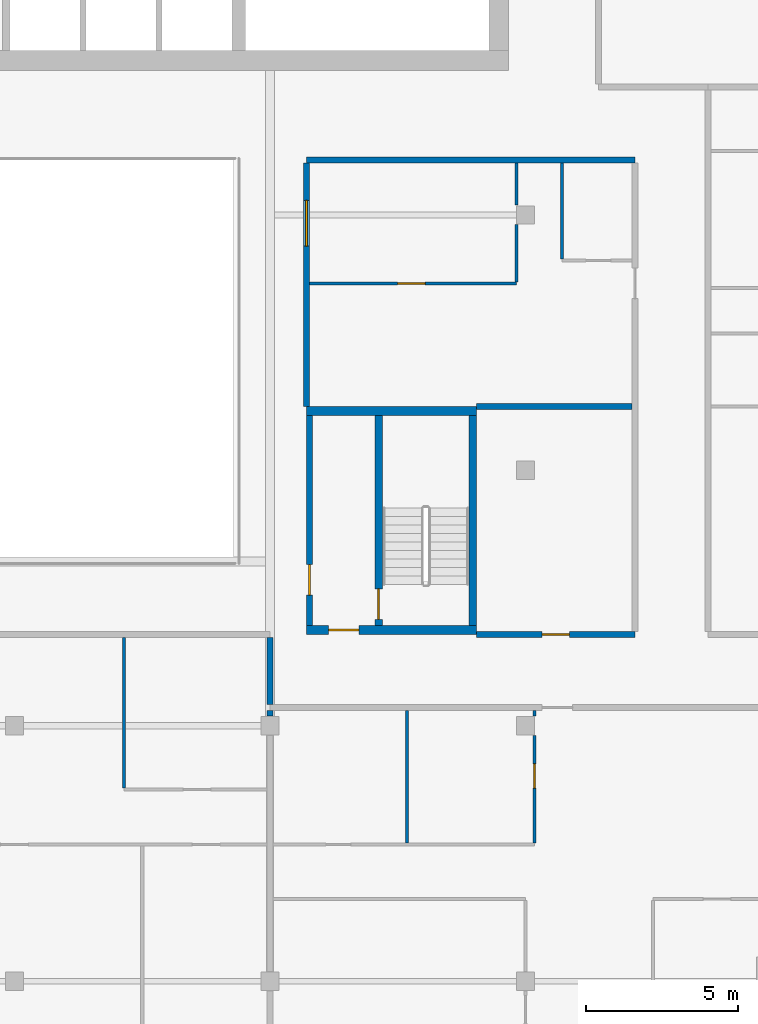
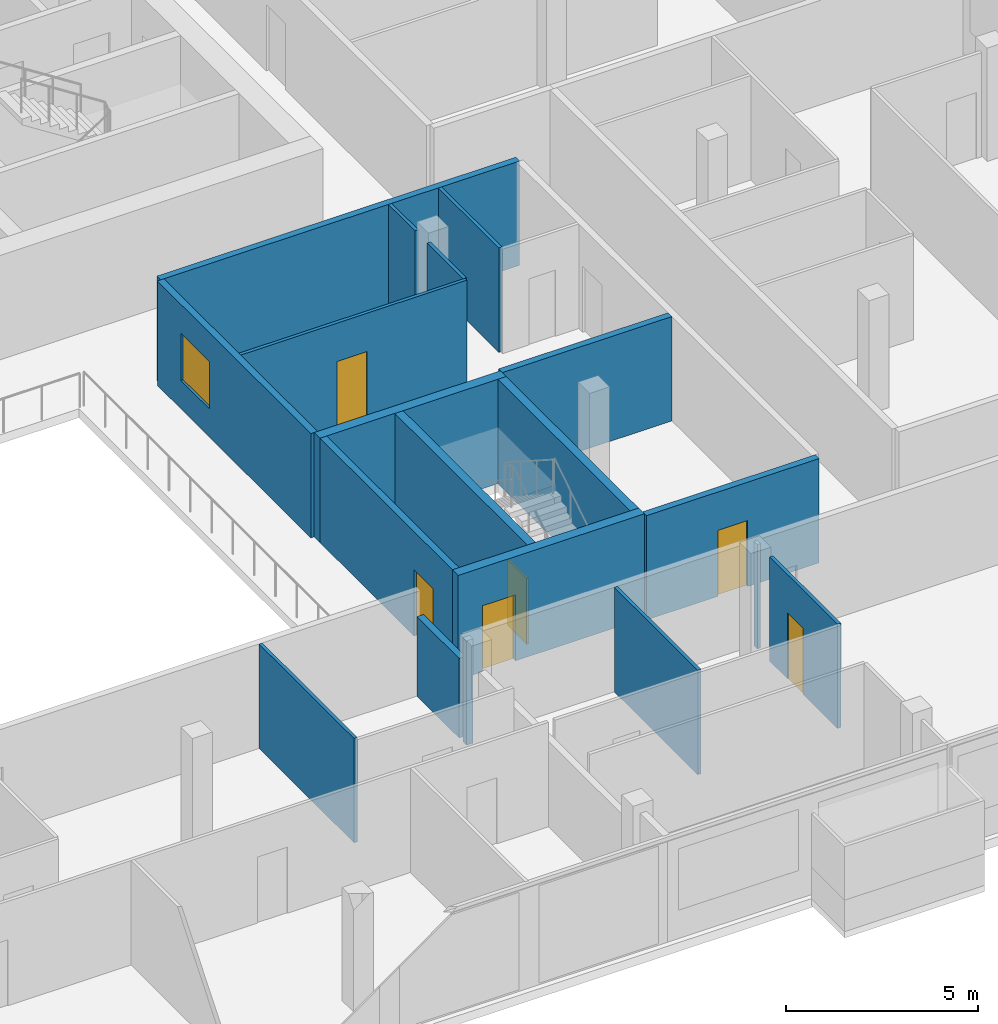
# One storey, part 20 of 29: 19 walls, 6 doors, 1 window, 7 openings.
"""IFC4 building model written with IfcOpenShell, lengths in metres."""

import ifcopenshell
import ifcopenshell.guid

model = None  # the IFC model being written
_history = None  # IfcOwnerHistory: only IFC2X3 demands one
_inside = {}  # id of a spatial element -> (the spatial element, [elements in it])
_under = {}  # id of a project, library or spatial element -> (it, [spatial elements below it])
_declared = {}  # id of a project -> (the project, [libraries it declares])
_typed = {}  # id of a type object -> (the type object, [elements of that type])
_made_of = {}  # id of a material, layer set ... -> (it, [elements and type objects made of it])


def new_model(schema):
    """Start an empty IFC model of exactly this schema.

    Asked for "IFC4X3", IfcOpenShell would pick the latest addendum, in which some entities
    have other attributes; the version numbers below select the first issue.
    IFC2X3 requires an IfcOwnerHistory on every rooted entity: one is made here for all.
    """
    global model, _history
    if schema == "IFC4X3":
        model = ifcopenshell.file(schema_version=(4, 3, 0, 0))
    else:
        model = ifcopenshell.file(schema=schema)
    _inside.clear()
    _under.clear()
    _declared.clear()
    _typed.clear()
    _made_of.clear()
    _history = None
    if model.schema == "IFC2X3":
        org = make("IfcOrganization", Name="unknown")
        user = make(
            "IfcPersonAndOrganization",
            ThePerson=make("IfcPerson", FamilyName="unknown"),
            TheOrganization=org,
        )
        app = make(
            "IfcApplication",
            ApplicationDeveloper=org,
            Version="unknown",
            ApplicationFullName="unknown",
            ApplicationIdentifier="unknown",
        )
        _history = make(
            "IfcOwnerHistory",
            OwningUser=user,
            OwningApplication=app,
            ChangeAction="ADDED",
            CreationDate=0,
        )
    return model


def make(cls, **values):
    """One entity of the class cls with the attributes given. An attribute that is None is left unset."""
    return model.create_entity(
        cls, **{name: value for name, value in values.items() if value is not None}
    )


def rooted(cls, **values):
    """An entity with a GlobalId (a new one), such as an element, a storey or a relation."""
    return make(cls, GlobalId=ifcopenshell.guid.new(), OwnerHistory=_history, **values)


def si_unit(unit_type, name, prefix=None):
    """IfcSIUnit, for example si_unit("LENGTHUNIT", "METRE", prefix="MILLI")."""
    return make("IfcSIUnit", UnitType=unit_type, Prefix=prefix, Name=name)


def assignment(units):
    """IfcUnitAssignment: the units of a project."""
    return None if units is None else make("IfcUnitAssignment", Units=units)


def point(xyz):
    """IfcCartesianPoint."""
    return None if xyz is None else make("IfcCartesianPoint", Coordinates=xyz)


def direction(xyz):
    """IfcDirection."""
    return None if xyz is None else make("IfcDirection", DirectionRatios=xyz)


def frame(location, z_axis=None, x_axis=None):
    """IfcAxis2Placement3D, a coordinate frame: its origin and axes. An axis left out is left unset."""
    return make(
        "IfcAxis2Placement3D",
        Location=point(location),
        Axis=direction(z_axis),
        RefDirection=direction(x_axis),
    )


def frame_2d(location, x_axis=None):
    """IfcAxis2Placement2D, a coordinate frame in the plane: its origin and x axis."""
    return make(
        "IfcAxis2Placement2D", Location=point(location), RefDirection=direction(x_axis)
    )


def origin():
    """The frame at (0, 0, 0) with its axes left unset."""
    return frame((0.0, 0.0, 0.0))


def place(relative_to, where):
    """IfcLocalPlacement: puts the frame where relative to a parent placement (None: the world)."""
    return make(
        "IfcLocalPlacement", PlacementRelTo=relative_to, RelativePlacement=where
    )


def context(
    kind, dimensions, precision=None, world=None, true_north=None, identifier=None
):
    """IfcGeometricRepresentationContext, for example the 3D "Model" context."""
    return make(
        "IfcGeometricRepresentationContext",
        ContextIdentifier=identifier,
        ContextType=kind,
        CoordinateSpaceDimension=dimensions,
        Precision=precision,
        WorldCoordinateSystem=world,
        TrueNorth=true_north,
    )


def subcontext(parent, identifier, kind, view, scale=None):
    """IfcGeometricRepresentationSubContext, for example "Body" below "Model"."""
    return make(
        "IfcGeometricRepresentationSubContext",
        ContextIdentifier=identifier,
        ContextType=kind,
        ParentContext=parent,
        TargetScale=scale,
        TargetView=view,
    )


def project(units=None, contexts=None):
    """IfcProject with its units and contexts."""
    return rooted(
        "IfcProject",
        Name="project",
        RepresentationContexts=contexts,
        UnitsInContext=assignment(units),
    )


def spatial(cls, under=None, at=None, **own):
    """A site, building, storey or space (cls), placed at a placement, below another one or the project."""
    s = rooted(cls, ObjectPlacement=at, **own)
    if under is not None:
        _under.setdefault(under.id(), (under, []))[1].append(s)
    return s


def profile(cls, at=None, kind="AREA", **sizes):
    """A parametric profile (cls). Its sizes go by their IFC names, for example OverallWidth=200.0."""
    return make(cls, ProfileType=kind, Position=at, **sizes)


def rectangle(**sizes):
    """IfcRectangleProfileDef."""
    return profile("IfcRectangleProfileDef", **sizes)


def extrude(swept, where, along, depth):
    """IfcExtrudedAreaSolid: the profile swept, set in the frame where, extruded along a direction by depth."""
    return make(
        "IfcExtrudedAreaSolid",
        SweptArea=swept,
        Position=where,
        ExtrudedDirection=direction(along),
        Depth=depth,
    )


def shape(context_of_items, identifier, shape_type, items):
    """IfcShapeRepresentation: the items that make up one representation, for example the "Body"."""
    return make(
        "IfcShapeRepresentation",
        ContextOfItems=context_of_items,
        RepresentationIdentifier=identifier,
        RepresentationType=shape_type,
        Items=items,
    )


def material(Name=None, Category=None):
    """IfcMaterial."""
    return make("IfcMaterial", Name=Name, Category=Category)


def layer(
    of_material, thickness, ventilated=None, Name=None, Category=None, Priority=None
):
    """IfcMaterialLayer: one layer of a wall or slab, of a material (None: an air gap)."""
    return make(
        "IfcMaterialLayer",
        Material=of_material,
        LayerThickness=thickness,
        IsVentilated=ventilated,
        Name=Name,
        Category=Category,
        Priority=Priority,
    )


def layer_set(layers, Name=None):
    """IfcMaterialLayerSet."""
    return make("IfcMaterialLayerSet", MaterialLayers=layers, LayerSetName=Name)


def made_of(thing, what):
    """Note that an element or type object is made of a material, layer set ...; save() writes the relation."""
    if what is not None:
        _made_of.setdefault(what.id(), (what, []))[1].append(thing)
    return thing


def type_object(cls, material=None, **own):
    """A type object (cls), such as IfcWallType, which elements share."""
    return made_of(rooted(cls, **own), material)


def element(
    cls,
    number,
    at=None,
    inside=None,
    cuts=None,
    type_object=None,
    material=None,
    context=None,
    identifier="Body",
    shape_type=None,
    held_by="IfcProductDefinitionShape",
    body=None,
    shapes=None,
    **own,
):
    """One element of the class cls, such as IfcWall. Its Tag is "e" and its number.

    at: its placement. inside: the storey or other place that contains it. cuts: it is an
    opening in that element (IfcRelVoidsElement). A single representation is given by context,
    identifier, shape_type and body (its items); several are given by shapes. held_by: the class
    of the entity that holds the representations. save() writes the other relations.
    """
    e = rooted(cls, Tag="e%d" % number, ObjectPlacement=at, **own)
    if body is not None:
        shapes = [shape(context, identifier, shape_type, body)]
    if shapes is not None:
        e.Representation = make(held_by, Representations=shapes)
    if inside is not None:
        _inside.setdefault(inside.id(), (inside, []))[1].append(e)
    if cuts is not None:
        rooted(
            "IfcRelVoidsElement", RelatingBuildingElement=cuts, RelatedOpeningElement=e
        )
    if type_object is not None:
        _typed.setdefault(type_object.id(), (type_object, []))[1].append(e)
    return made_of(e, material)


def fill(opening, filler):
    """IfcRelFillsElement: the door or window that sits in an opening."""
    return rooted(
        "IfcRelFillsElement",
        RelatingOpeningElement=opening,
        RelatedBuildingElement=filler,
    )


def aggregate(whole, parts):
    """IfcRelAggregates: a whole, such as a stair, and the parts it consists of."""
    return rooted("IfcRelAggregates", RelatingObject=whole, RelatedObjects=parts)


def save(model, path):
    """Write the relations noted so far, then the file.

    IfcRelAggregates (storeys below a building ...), IfcRelContainedInSpatialStructure (elements
    in a storey), IfcRelDefinesByType, IfcRelAssociatesMaterial and IfcRelDeclares: one each for
    every whole, place, type object, material and project.
    """
    for whole, parts in _under.values():
        aggregate(whole, parts)
    for where, things in _inside.values():
        rooted(
            "IfcRelContainedInSpatialStructure",
            RelatedElements=things,
            RelatingStructure=where,
        )
    for kind, things in _typed.values():
        rooted("IfcRelDefinesByType", RelatedObjects=things, RelatingType=kind)
    for what, things in _made_of.values():
        rooted("IfcRelAssociatesMaterial", RelatedObjects=things, RelatingMaterial=what)
    for by, libraries in _declared.values():
        rooted("IfcRelDeclares", RelatingContext=by, RelatedDefinitions=libraries)
    model.write(path)


model = new_model("IFC4")

# Units and contexts
model_context = context("Model", 3, precision=1e-05, world=origin(), true_north=direction((0.0, 1.0)))
body_context = subcontext(model_context, "Body", "Model", "MODEL_VIEW")
ifc_project = project(units=[si_unit("LENGTHUNIT", "METRE"), si_unit("AREAUNIT", "SQUARE_METRE"), si_unit("VOLUMEUNIT", "CUBIC_METRE"), si_unit("PLANEANGLEUNIT", "RADIAN"), si_unit("MASSUNIT", "GRAM", prefix="KILO")], contexts=[model_context])

# Site, building, storey
site_placement = place(None, origin())
site = spatial("IfcSite", under=ifc_project, at=site_placement, CompositionType="ELEMENT")
building_placement = place(site_placement, origin())
building = spatial("IfcBuilding", under=site, at=building_placement, Name="Saffron Gate Tower", CompositionType="ELEMENT")
storey_placement = place(building_placement, frame((0.0, 0.0, 219.89990234375)))
storey = spatial("IfcBuildingStorey", under=building, at=storey_placement, Name="L53", CompositionType="ELEMENT", Elevation=219.89990234375)

# Wall, opening, door
ifc_material_1 = material(Name="Gypsum board partition on steel studs", Category="steel")
ifc_layer_1 = layer(ifc_material_1, 0.199951171875)
ifc_layer_set_1 = layer_set([ifc_layer_1], Name="CW10 Core partition 200")
wall_type_1 = type_object("IfcWallType", Name="CW10 Core partition 200", PredefinedType="PARTITIONING", material=ifc_layer_set_1)
wall_1_placement = place(storey_placement, frame((101.5, 43.5, 0.0), z_axis=(0.0, 0.0, 1.0), x_axis=(0.0, 1.0, 0.0)))
wall_1 = element("IfcWall", 1, at=wall_1_placement, inside=storey, type_object=wall_type_1, Name="Wall CW10-L53-E-2", PredefinedType="PARTITIONING", context=body_context, shape_type="SweptSolid", body=[
    extrude(rectangle(XDim=6.89990234375, YDim=0.199951171875, at=frame_2d((3.449951171875, 0.0))), origin(), (0.0, 0.0, 1.0), 3.320068359375),
])
opening_1_placement = place(wall_1_placement, frame((1.0, 0.0, 0.0)))
opening_1 = element("IfcOpeningElement", 2, at=opening_1_placement, cuts=wall_1, Name="Opening CR-22", PredefinedType="OPENING", context=body_context, shape_type="SweptSolid", body=[
    extrude(rectangle(XDim=1.0, YDim=2.10009765625, at=frame_2d((0.5, 1.050048828125))), frame((0.0, 0.10986328125, 0.0), z_axis=(0.0, -1.0, 0.0), x_axis=(1.0, 0.0, 0.0)), (0.0, 0.0, 1.0), 0.219970703125),
])
ifc_material_2 = material(Name="Steel fire door set", Category="steel")
door_type_1 = type_object("IfcDoorType", Name="CD4 Lobby door 1000x2100 EI 120", OperationType="NOTDEFINED", PredefinedType="DOOR", material=ifc_material_2)
door_1_placement = place(opening_1_placement, origin())
door_1 = element("IfcDoor", 3, at=door_1_placement, inside=storey, type_object=door_type_1, Name="DOOR CR-22", OperationType="SINGLE_SWING_LEFT", OverallHeight=2.10009765625, OverallWidth=1.0, PredefinedType="DOOR", context=body_context, shape_type="SweptSolid", body=[
    extrude(rectangle(XDim=1.0, YDim=2.10009765625, at=frame_2d((0.5, 1.050048828125))), frame((0.0, 0.02490234375, 0.0), z_axis=(0.0, -1.0, 0.0), x_axis=(1.0, 0.0, 0.0)), (0.0, 0.0, 1.0), 0.050048828125),
])
fill(opening_1, door_1)

ifc_material_3 = material(Name="Concrete C60", Category="concrete")
ifc_layer_2 = layer(ifc_material_3, 0.25)
ifc_layer_set_2 = layer_set([ifc_layer_2], Name="CW14 RC core wall 250 C60")
wall_type_2 = type_object("IfcWallType", Name="CW14 RC core wall 250 C60", PredefinedType="SOLIDWALL", material=ifc_layer_set_2)
wall_2_placement = place(storey_placement, frame((103.77490234375, 43.5, 0.0), z_axis=(0.0, 0.0, 1.0), x_axis=(0.0, 1.0, 0.0)))
wall_2 = element("IfcWall", 4, at=wall_2_placement, inside=storey, type_object=wall_type_2, Name="Wall CW14-L53-E-3", PredefinedType="SOLIDWALL", context=body_context, shape_type="SweptSolid", body=[
    extrude(rectangle(XDim=6.89990234375, YDim=0.25, at=frame_2d((3.449951171875, 0.0))), origin(), (0.0, 0.0, 1.0), 3.320068359375),
])
opening_2_placement = place(wall_2_placement, frame((0.199951171875, 0.0, 0.0)))
opening_2 = element("IfcOpeningElement", 5, at=opening_2_placement, cuts=wall_2, Name="Opening CR-23", PredefinedType="OPENING", context=body_context, shape_type="SweptSolid", body=[
    extrude(rectangle(XDim=1.0, YDim=2.10009765625, at=frame_2d((0.5, 1.050048828125))), frame((0.0, 0.135009765625, 0.0), z_axis=(0.0, -1.0, 0.0), x_axis=(1.0, 0.0, 0.0)), (0.0, 0.0, 1.0), 0.27001953125),
])
door_type_2 = type_object("IfcDoorType", Name="CD5 Stair door 1000x2100 EI 120", OperationType="NOTDEFINED", PredefinedType="DOOR", material=ifc_material_2)
door_2_placement = place(opening_2_placement, origin())
door_2 = element("IfcDoor", 6, at=door_2_placement, inside=storey, type_object=door_type_2, Name="DOOR CR-23", OperationType="SINGLE_SWING_RIGHT", OverallHeight=2.10009765625, OverallWidth=1.0, PredefinedType="DOOR", context=body_context, shape_type="SweptSolid", body=[
    extrude(rectangle(XDim=1.0, YDim=2.10009765625, at=frame_2d((0.5, 1.050048828125))), frame((0.0, 0.02490234375, 0.0), z_axis=(0.0, -1.0, 0.0), x_axis=(1.0, 0.0, 0.0)), (0.0, 0.0, 1.0), 0.050048828125),
])
fill(opening_2, door_2)

# Wall
wall_3_placement = place(storey_placement, frame((106.875, 43.5, 0.0), z_axis=(0.0, 0.0, 1.0), x_axis=(0.0, 1.0, 0.0)))
element("IfcWall", 7, at=wall_3_placement, inside=storey, type_object=wall_type_2, Name="Wall CW14-L53-E-4", PredefinedType="SOLIDWALL", context=body_context, shape_type="SweptSolid", body=[
    extrude(rectangle(XDim=6.89990234375, YDim=0.25, at=frame_2d((3.449951171875, 0.0))), origin(), (0.0, 0.0, 1.0), 3.320068359375),
])

# Wall, opening, door
ifc_layer_3 = layer(ifc_material_3, 0.300048828125)
ifc_layer_set_3 = layer_set([ifc_layer_3], Name="CW17 RC core wall 300 C60")
wall_type_3 = type_object("IfcWallType", Name="CW17 RC core wall 300 C60", PredefinedType="SOLIDWALL", material=ifc_layer_set_3)
wall_4_placement = place(storey_placement, frame((101.39990234375, 43.35009765625, 0.0), z_axis=(0.0, 0.0, 1.0), x_axis=(1.0, 0.0, 0.0)))
wall_4 = element("IfcWall", 8, at=wall_4_placement, inside=storey, type_object=wall_type_3, Name="Wall CW17-L53-E-1", PredefinedType="SOLIDWALL", context=body_context, shape_type="SweptSolid", body=[
    extrude(rectangle(XDim=5.60009765625, YDim=0.300048828125, at=frame_2d((2.800048828125, 0.0))), origin(), (0.0, 0.0, 1.0), 3.320068359375),
])
opening_3_placement = place(wall_4_placement, frame((0.72509765625, 0.0, 0.0)))
opening_3 = element("IfcOpeningElement", 9, at=opening_3_placement, cuts=wall_4, Name="Opening CR-21", PredefinedType="OPENING", context=body_context, shape_type="SweptSolid", body=[
    extrude(rectangle(XDim=1.0, YDim=2.10009765625, at=frame_2d((0.5, 1.050048828125))), frame((0.0, 0.16015625, 0.0), z_axis=(0.0, -1.0, 0.0), x_axis=(1.0, 0.0, 0.0)), (0.0, 0.0, 1.0), 0.320068359375),
])
door_3_placement = place(opening_3_placement, origin())
door_3 = element("IfcDoor", 10, at=door_3_placement, inside=storey, type_object=door_type_1, Name="DOOR CR-21", OperationType="SINGLE_SWING_RIGHT", OverallHeight=2.10009765625, OverallWidth=1.0, PredefinedType="DOOR", context=body_context, shape_type="SweptSolid", body=[
    extrude(rectangle(XDim=1.0, YDim=2.10009765625, at=frame_2d((0.5, 1.050048828125))), frame((0.0, 0.02490234375, 0.0), z_axis=(0.0, -1.0, 0.0), x_axis=(1.0, 0.0, 0.0)), (0.0, 0.0, 1.0), 0.050048828125),
])
fill(opening_3, door_3)

# Wall
wall_5_placement = place(storey_placement, frame((101.39990234375, 50.550048828125, 0.0), z_axis=(0.0, 0.0, 1.0), x_axis=(1.0, 0.0, 0.0)))
element("IfcWall", 11, at=wall_5_placement, inside=storey, type_object=wall_type_3, Name="Wall CW17-L53-E-5", PredefinedType="SOLIDWALL", context=body_context, shape_type="SweptSolid", body=[
    extrude(rectangle(XDim=5.60009765625, YDim=0.300048828125, at=frame_2d((2.800048828125, 0.0))), origin(), (0.0, 0.0, 1.0), 3.320068359375),
])

# Wall, opening, door
ifc_material_4 = material(Name="Plasterboard on steel studs", Category="steel")
ifc_layer_4 = layer(ifc_material_4, 0.10009765625)
ifc_layer_set_4 = layer_set([ifc_layer_4], Name="PW1 Partition 100")
wall_type_4 = type_object("IfcWallType", Name="PW1 Partition 100", PredefinedType="PARTITIONING", material=ifc_layer_set_4)
wall_6_placement = place(storey_placement, frame((101.5, 54.75, 0.0), z_axis=(0.0, 0.0, 1.0), x_axis=(1.0, 0.0, 0.0)))
wall_6 = element("IfcWall", 12, at=wall_6_placement, inside=storey, type_object=wall_type_4, Name="Partition D2-31", PredefinedType="PARTITIONING", context=body_context, shape_type="SweptSolid", body=[
    extrude(rectangle(XDim=6.800048828125, YDim=0.10009765625, at=frame_2d((3.39990234375, 0.0))), origin(), (0.0, 0.0, 1.0), 3.320068359375),
])
opening_4_placement = place(wall_6_placement, frame((2.89990234375, 0.0, 0.0)))
opening_4 = element("IfcOpeningElement", 13, at=opening_4_placement, cuts=wall_6, Name="Opening D2-38", PredefinedType="OPENING", context=body_context, shape_type="SweptSolid", body=[
    extrude(rectangle(XDim=0.89990234375, YDim=2.10009765625, at=frame_2d((0.449951171875, 1.050048828125))), frame((0.0, 0.06005859375, 0.0), z_axis=(0.0, -1.0, 0.0), x_axis=(1.0, 0.0, 0.0)), (0.0, 0.0, 1.0), 0.1201171875),
])
ifc_material_5 = material(Name="Timber door set", Category="wood")
door_type_3 = type_object("IfcDoorType", Name="RD1 Room door 900x2100", OperationType="NOTDEFINED", PredefinedType="DOOR", material=ifc_material_5)
door_4_placement = place(opening_4_placement, origin())
door_4 = element("IfcDoor", 14, at=door_4_placement, inside=storey, type_object=door_type_3, Name="Door D2-38", OperationType="SINGLE_SWING_LEFT", OverallHeight=2.10009765625, OverallWidth=0.89990234375, PredefinedType="DOOR", context=body_context, shape_type="SweptSolid", body=[
    extrude(rectangle(XDim=0.89990234375, YDim=2.10009765625, at=frame_2d((0.449951171875, 1.050048828125))), frame((0.0, 0.02490234375, 0.0), z_axis=(0.0, -1.0, 0.0), x_axis=(1.0, 0.0, 0.0)), (0.0, 0.0, 1.0), 0.050048828125),
])
fill(opening_4, door_4)

# Walls
wall_7_placement = place(storey_placement, frame((95.39990234375, 43.10009765625, 0.0), z_axis=(0.0, 0.0, 1.0), x_axis=(0.0, -1.0, 0.0)))
element("IfcWall", 15, at=wall_7_placement, inside=storey, type_object=wall_type_4, Name="Partition D2-88", PredefinedType="PARTITIONING", context=body_context, shape_type="SweptSolid", body=[
    extrude(rectangle(XDim=4.9501953125, YDim=0.10009765625, at=frame_2d((2.47509765625, 0.0))), origin(), (0.0, 0.0, 1.0), 3.320068359375),
])
wall_8_placement = place(storey_placement, frame((104.699951171875, 40.699951171875, 0.0), z_axis=(0.0, 0.0, 1.0), x_axis=(0.0, -1.0, 0.0)))
element("IfcWall", 16, at=wall_8_placement, inside=storey, type_object=wall_type_4, Name="Partition D2-95", PredefinedType="PARTITIONING", context=body_context, shape_type="SweptSolid", body=[
    extrude(rectangle(XDim=4.349853515625, YDim=0.10009765625, at=frame_2d((2.1748046875, 0.0))), origin(), (0.0, 0.0, 1.0), 3.320068359375),
])
wall_9_placement = place(storey_placement, frame((108.300048828125, 56.679931640625, 0.0), z_axis=(0.0, 0.0, 1.0), x_axis=(0.0, -1.0, 0.0)))
element("IfcWall", 17, at=wall_9_placement, inside=storey, type_object=wall_type_4, Name="Partition D2-96", PredefinedType="PARTITIONING", context=body_context, shape_type="SweptSolid", body=[
    extrude(rectangle(XDim=1.8798828125, YDim=0.10009765625, at=frame_2d((0.93994140625, 0.0))), origin(), (0.0, 0.0, 1.0), 3.320068359375),
])
wall_10_placement = place(storey_placement, frame((108.300048828125, 58.699951171875, 0.0), z_axis=(0.0, 0.0, 1.0), x_axis=(0.0, -1.0, 0.0)))
element("IfcWall", 18, at=wall_10_placement, inside=storey, type_object=wall_type_4, Name="Partition D2-97", PredefinedType="PARTITIONING", context=body_context, shape_type="SweptSolid", body=[
    extrude(rectangle(XDim=1.3798828125, YDim=0.10009765625, at=frame_2d((0.68994140625, 0.0))), origin(), (0.0, 0.0, 1.0), 3.320068359375),
])

# Wall, opening, door
wall_11_placement = place(storey_placement, frame((108.89990234375, 36.35009765625, 0.0), z_axis=(0.0, 0.0, 1.0), x_axis=(0.0, 1.0, 0.0)))
wall_11 = element("IfcWall", 19, at=wall_11_placement, inside=storey, type_object=wall_type_4, Name="Partition D2-100", PredefinedType="PARTITIONING", context=body_context, shape_type="SweptSolid", body=[
    extrude(rectangle(XDim=3.52978515625, YDim=0.10009765625, at=frame_2d((1.764892578125, 0.0))), origin(), (0.0, 0.0, 1.0), 3.320068359375),
])
opening_5_placement = place(wall_11_placement, frame((1.800048828125, 0.0, 0.0)))
opening_5 = element("IfcOpeningElement", 20, at=opening_5_placement, cuts=wall_11, Name="Opening D2-44", PredefinedType="OPENING", context=body_context, shape_type="SweptSolid", body=[
    extrude(rectangle(XDim=0.800048828125, YDim=2.10009765625, at=frame_2d((0.39990234375, 1.050048828125))), frame((0.0, 0.06005859375, 0.0), z_axis=(0.0, -1.0, 0.0), x_axis=(1.0, 0.0, 0.0)), (0.0, 0.0, 1.0), 0.1201171875),
])
door_type_4 = type_object("IfcDoorType", Name="RD2 Bathroom door 800x2100", OperationType="NOTDEFINED", PredefinedType="DOOR", material=ifc_material_5)
door_5_placement = place(opening_5_placement, origin())
door_5 = element("IfcDoor", 21, at=door_5_placement, inside=storey, type_object=door_type_4, Name="Door D2-44", OperationType="SINGLE_SWING_RIGHT", OverallHeight=2.10009765625, OverallWidth=0.800048828125, PredefinedType="DOOR", context=body_context, shape_type="SweptSolid", body=[
    extrude(rectangle(XDim=0.800048828125, YDim=2.10009765625, at=frame_2d((0.39990234375, 1.050048828125))), frame((0.0, 0.02490234375, 0.0), z_axis=(0.0, -1.0, 0.0), x_axis=(1.0, 0.0, 0.0)), (0.0, 0.0, 1.0), 0.050048828125),
])
fill(opening_5, door_5)

# Walls
wall_12_placement = place(storey_placement, frame((108.89990234375, 40.699951171875, 0.0), z_axis=(0.0, 0.0, 1.0), x_axis=(0.0, -1.0, 0.0)))
element("IfcWall", 22, at=wall_12_placement, inside=storey, type_object=wall_type_4, Name="Partition D2-101", PredefinedType="PARTITIONING", context=body_context, shape_type="SweptSolid", body=[
    extrude(rectangle(XDim=0.179931640625, YDim=0.10009765625, at=frame_2d((0.08984375, 0.0))), origin(), (0.0, 0.0, 1.0), 3.320068359375),
])
wall_13_placement = place(storey_placement, frame((109.800048828125, 58.699951171875, 0.0), z_axis=(0.0, 0.0, 1.0), x_axis=(0.0, -1.0, 0.0)))
element("IfcWall", 23, at=wall_13_placement, inside=storey, type_object=wall_type_4, Name="Partition D2-102", PredefinedType="PARTITIONING", context=body_context, shape_type="SweptSolid", body=[
    extrude(rectangle(XDim=3.14990234375, YDim=0.10009765625, at=frame_2d((1.574951171875, 0.0))), origin(), (0.0, 0.0, 1.0), 3.320068359375),
])
ifc_material_6 = material(Name="Clay brick masonry, rendered", Category="masonry")
ifc_layer_5 = layer(ifc_material_6, 0.199951171875)
ifc_layer_set_5 = layer_set([ifc_layer_5], Name="PW2 Demising wall 200")
wall_type_5 = type_object("IfcWallType", Name="PW2 Demising wall 200", PredefinedType="PARTITIONING", material=ifc_layer_set_5)
wall_14_placement = place(storey_placement, frame((107.0, 50.699951171875, 0.0), z_axis=(0.0, 0.0, 1.0), x_axis=(1.0, 0.0, 0.0)))
element("IfcWall", 24, at=wall_14_placement, inside=storey, type_object=wall_type_5, Name="Wall D2-25", PredefinedType="PARTITIONING", context=body_context, shape_type="SweptSolid", body=[
    extrude(rectangle(XDim=5.10009765625, YDim=0.199951171875, at=frame_2d((2.550048828125, 0.0))), origin(), (0.0, 0.0, 1.0), 3.320068359375),
])
wall_15_placement = place(storey_placement, frame((100.199951171875, 40.699951171875, 0.0), z_axis=(0.0, 0.0, 1.0), x_axis=(0.0, -1.0, 0.0)))
element("IfcWall", 25, at=wall_15_placement, inside=storey, type_object=wall_type_5, Name="Wall D2-93", PredefinedType="PARTITIONING", context=body_context, shape_type="SweptSolid", body=[
    extrude(rectangle(XDim=0.179931640625, YDim=0.199951171875, at=frame_2d((0.08984375, 0.0))), origin(), (0.0, 0.0, 1.0), 3.320068359375),
])

# Wall, opening, door
ifc_layer_6 = layer(ifc_material_6, 0.199951171875)
ifc_layer_set_6 = layer_set([ifc_layer_6], Name="PW3 Corridor wall 200")
wall_type_6 = type_object("IfcWallType", Name="PW3 Corridor wall 200", PredefinedType="PARTITIONING", material=ifc_layer_set_6)
wall_16_placement = place(storey_placement, frame((107.0, 43.199951171875, 0.0), z_axis=(0.0, 0.0, 1.0), x_axis=(1.0, 0.0, 0.0)))
wall_16 = element("IfcWall", 26, at=wall_16_placement, inside=storey, type_object=wall_type_6, Name="Wall D2-16", PredefinedType="PARTITIONING", context=body_context, shape_type="SweptSolid", body=[
    extrude(rectangle(XDim=5.199951171875, YDim=0.199951171875, at=frame_2d((2.60009765625, 0.0))), origin(), (0.0, 0.0, 1.0), 3.320068359375),
])
opening_6_placement = place(wall_16_placement, frame((2.14990234375, 0.0, 0.0)))
opening_6 = element("IfcOpeningElement", 27, at=opening_6_placement, cuts=wall_16, Name="Opening D2-54", PredefinedType="OPENING", context=body_context, shape_type="SweptSolid", body=[
    extrude(rectangle(XDim=0.89990234375, YDim=2.10009765625, at=frame_2d((0.449951171875, 1.050048828125))), frame((0.0, 0.10986328125, 0.0), z_axis=(0.0, -1.0, 0.0), x_axis=(1.0, 0.0, 0.0)), (0.0, 0.0, 1.0), 0.219970703125),
])
door_type_5 = type_object("IfcDoorType", Name="SD1 Service door 900x2100", OperationType="NOTDEFINED", PredefinedType="DOOR", material=ifc_material_2)
door_6_placement = place(opening_6_placement, origin())
door_6 = element("IfcDoor", 28, at=door_6_placement, inside=storey, type_object=door_type_5, Name="Door D2-54", OperationType="SINGLE_SWING_LEFT", OverallHeight=2.10009765625, OverallWidth=0.89990234375, PredefinedType="DOOR", context=body_context, shape_type="SweptSolid", body=[
    extrude(rectangle(XDim=0.89990234375, YDim=2.10009765625, at=frame_2d((0.449951171875, 1.050048828125))), frame((0.0, 0.02490234375, 0.0), z_axis=(0.0, -1.0, 0.0), x_axis=(1.0, 0.0, 0.0)), (0.0, 0.0, 1.0), 0.050048828125),
])
fill(opening_6, door_6)

# Walls
wall_17_placement = place(storey_placement, frame((101.39990234375, 58.800048828125, 0.0), z_axis=(0.0, 0.0, 1.0), x_axis=(1.0, 0.0, 0.0)))
element("IfcWall", 29, at=wall_17_placement, inside=storey, type_object=wall_type_6, Name="Wall D2-37", PredefinedType="PARTITIONING", context=body_context, shape_type="SweptSolid", body=[
    extrude(rectangle(XDim=10.800048828125, YDim=0.199951171875, at=frame_2d((5.39990234375, 0.0))), origin(), (0.0, 0.0, 1.0), 3.320068359375),
])
wall_18_placement = place(storey_placement, frame((100.199951171875, 43.10009765625, 0.0), z_axis=(0.0, 0.0, 1.0), x_axis=(0.0, -1.0, 0.0)))
element("IfcWall", 30, at=wall_18_placement, inside=storey, type_object=wall_type_6, Name="Wall D2-90", PredefinedType="PARTITIONING", context=body_context, shape_type="SweptSolid", body=[
    extrude(rectangle(XDim=2.2001953125, YDim=0.199951171875, at=frame_2d((1.10009765625, 0.0))), origin(), (0.0, 0.0, 1.0), 2.530029296875),
])

# Wall, opening, window
wall_19_placement = place(storey_placement, frame((101.39990234375, 58.699951171875, 0.0), z_axis=(0.0, 0.0, 1.0), x_axis=(0.0, -1.0, 0.0)))
wall_19 = element("IfcWall", 31, at=wall_19_placement, inside=storey, type_object=wall_type_6, Name="Wall D2-94", PredefinedType="PARTITIONING", context=body_context, shape_type="SweptSolid", body=[
    extrude(rectangle(XDim=8.0, YDim=0.199951171875, at=frame_2d((4.0, 0.0))), origin(), (0.0, 0.0, 1.0), 3.320068359375),
])
opening_7_placement = place(wall_19_placement, frame((1.22509765625, 0.0, 0.89990234375)))
opening_7 = element("IfcOpeningElement", 32, at=opening_7_placement, cuts=wall_19, Name="Opening GW1", PredefinedType="OPENING", context=body_context, shape_type="SweptSolid", body=[
    extrude(rectangle(XDim=1.5, YDim=1.5, at=frame_2d((0.75, 0.75))), frame((0.0, 0.10986328125, 0.0), z_axis=(0.0, -1.0, 0.0), x_axis=(1.0, 0.0, 0.0)), (0.0, 0.0, 1.0), 0.219970703125),
])
ifc_material_7 = material(Name="Fire-resisting laminated glass in steel frame", Category="steel")
ifc_layer_7 = layer(ifc_material_7, 0.06005859375)
ifc_layer_set_7 = layer_set([ifc_layer_7], Name="GW1 Gallery window 1500x1500")
window_type = type_object("IfcWindowType", Name="GW1 Gallery window 1500x1500", PartitioningType="SINGLE_PANEL", PredefinedType="WINDOW", material=ifc_layer_set_7)
window_placement = place(opening_7_placement, origin())
window = element("IfcWindow", 33, at=window_placement, inside=storey, type_object=window_type, Name="GW1 window D2-J-B1", OverallHeight=1.5, OverallWidth=1.5, PartitioningType="SINGLE_PANEL", PredefinedType="WINDOW", context=body_context, shape_type="SweptSolid", body=[
    extrude(rectangle(XDim=1.5, YDim=1.5, at=frame_2d((0.75, 0.75))), frame((0.0, 0.030029296875, 0.0), z_axis=(0.0, -1.0, 0.0), x_axis=(1.0, 0.0, 0.0)), (0.0, 0.0, 1.0), 0.06005859375),
])
fill(opening_7, window)

save(model, "model.ifc")
